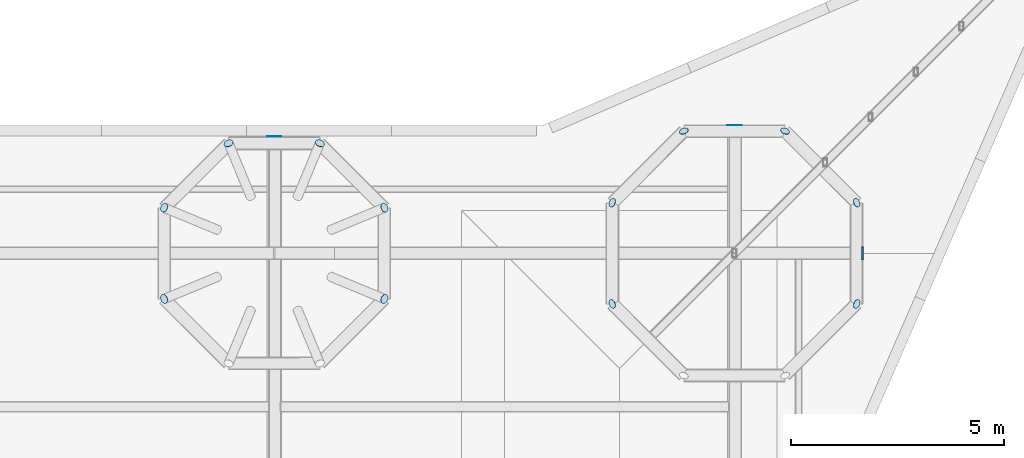
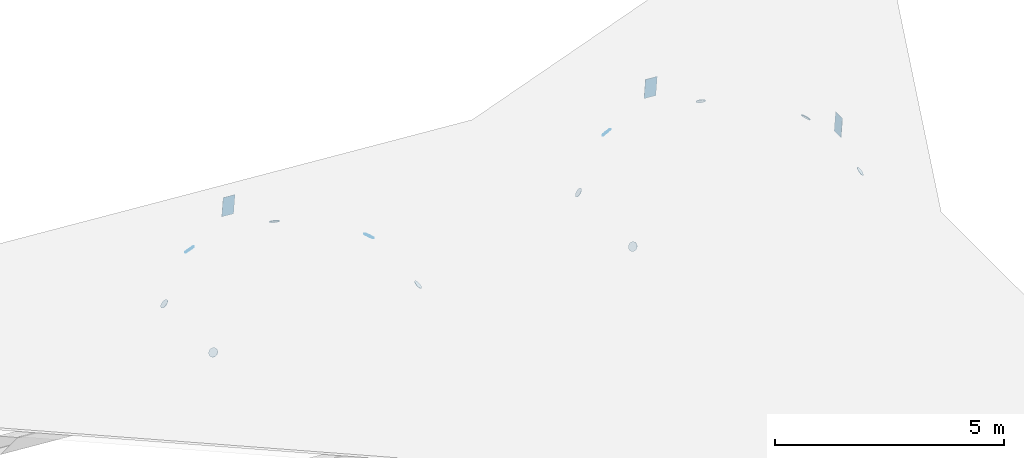
# One storey, part 67 of 95: 15 plates.
"""IFC4 building model written with IfcOpenShell, lengths in metres."""

from ifc_helpers import new_model, si_unit, direction, frame, origin, origin_2d, place, context, subcontext, project, spatial, rectangle, circle, extrude, material, material_profile, profile_set, type_object, element, save


model = new_model("IFC4")

# Units and contexts
model_context = context("Model", 3, precision=1e-05, world=origin(), true_north=direction((0.0, 1.0)))
body_context = subcontext(model_context, "Body", "Model", "MODEL_VIEW")
ifc_project = project(units=[si_unit("LENGTHUNIT", "METRE"), si_unit("AREAUNIT", "SQUARE_METRE"), si_unit("VOLUMEUNIT", "CUBIC_METRE"), si_unit("PLANEANGLEUNIT", "RADIAN"), si_unit("MASSUNIT", "GRAM", prefix="KILO")], contexts=[model_context])

# Site, building, storey
site_placement = place(None, origin())
site = spatial("IfcSite", under=ifc_project, at=site_placement, CompositionType="ELEMENT")
building_placement = place(site_placement, origin())
building = spatial("IfcBuilding", under=site, at=building_placement, Name="Magnolia Steps Interchange", CompositionType="ELEMENT")
storey_placement = place(building_placement, frame((0.0, 0.0, 4.800048828125)))
storey = spatial("IfcBuildingStorey", under=building, at=storey_placement, Name="L01", CompositionType="ELEMENT", Elevation=4.800048828125)

# Plates
ifc_material_1 = material(Name="Steel Q355B", Category="steel")
ifc_material_profile_1 = material_profile(ifc_material_1, circle(Radius=0.109619140625, at=origin_2d()), Name="End plate CHS219x10")
ifc_profile_set_1 = profile_set([ifc_material_profile_1], Name="Steel Q355B")
plate_type_1 = type_object("IfcPlateType", Name="End plate CHS219x10", PredefinedType="SHEET", material=ifc_profile_set_1)
for number, where, z_axis, x_axis, name in (
    (1, (174.580078125, 75.86865234375, 1.55615234375), (0.664583318381, 0.275279424158, 0.694658370398), (-0.382683432789, 0.923879532336, 0.0), "End plate Tree rib"),
    (2, (173.068603515625, 77.3798828125, 1.55615234375), (0.275279424158, 0.664583318381, 0.694658370398), (-0.923879532336, 0.382683432789, 0.0), "End plate Tree rib"),
    (3, (170.931396484375, 77.3798828125, 1.55615234375), (-0.275279424158, 0.664583318381, 0.694658370398), (-0.923879532336, -0.382683432789, 0.0), "End plate Tree rib"),
    (4, (169.419921875, 75.86865234375, 1.55615234375), (-0.664583318381, 0.275279424158, 0.694658370398), (-0.382683432789, -0.923879532336, 0.0), "End plate Tree rib"),
    (5, (169.419921875, 73.731201171875, 1.55615234375), (-0.664583318381, -0.275279424158, 0.694658370398), (0.382683432789, -0.923879532336, 0.0), "End plate Tree rib"),
    (6, (174.580078125, 73.731201171875, 1.55615234375), (0.664583318381, -0.275279424158, 0.694658370398), (0.382683432789, 0.923879532336, 0.0), "End plate Tree rib"),
    (7, (185.6640625, 75.986328125, 0.7685546875), (0.734831085934, 0.304377001973, 0.606117080946), (-0.3826834325, 0.923879532456, 0.0), "End plate Tree rib"),
    (8, (183.986328125, 77.6640625, 0.7685546875), (0.304377001973, 0.734831085934, 0.606117080946), (-0.923879532456, 0.3826834325, 0.0), "End plate Tree rib"),
    (9, (181.61376953125, 77.6640625, 0.7685546875), (-0.304377001973, 0.734831085934, 0.606117080946), (-0.923879532456, -0.3826834325, 0.0), "End plate Tree rib"),
    (10, (179.93603515625, 75.986328125, 0.7685546875), (-0.734831085934, 0.304377001973, 0.606117080946), (-0.3826834325, -0.923879532456, 0.0), "End plate Tree rib"),
    (11, (179.93603515625, 73.61376953125, 0.7685546875), (-0.734831085934, -0.304377001973, 0.606117080946), (0.3826834325, -0.923879532456, 0.0), "End plate Tree rib"),
    (12, (185.6640625, 73.61376953125, 0.7685546875), (0.734831085934, -0.304377001973, 0.606117080946), (0.3826834325, 0.923879532456, 0.0), "End plate Tree rib"),
):
    element("IfcPlate", number, at=place(storey_placement, frame(where, z_axis=z_axis, x_axis=x_axis)), inside=storey, type_object=plate_type_1, Name=name, PredefinedType="SHEET", context=body_context, shape_type="SweptSolid", body=[
        extrude(circle(Radius=0.109619140625, at=origin_2d()), origin(), (0.0, 0.0, 1.0), 0.008056640625),
    ])
ifc_material_2 = material(Name="Steel Q355B", Category="steel")
ifc_material_profile_2 = material_profile(ifc_material_2, rectangle(XDim=0.300048828125, YDim=0.5, at=origin_2d()), Name="End plate RHS500x300x16")
ifc_profile_set_2 = profile_set([ifc_material_profile_2], Name="Steel Q355B")
plate_type_2 = type_object("IfcPlateType", Name="End plate RHS500x300x16", PredefinedType="SHEET", material=ifc_profile_set_2)
for number, where, z_axis, x_axis, name in (
    (13, (185.800048828125, 74.800048828125, 1.2490234375), (0.997350928098, 0.0, -0.072740128007), (0.0, 1.0, 0.0), "End plate Roof beam"),
    (14, (172.0, 77.5400390625, 2.25537109375), (0.0, 1.0, 0.0), (-0.997352109794, 0.0, 0.072723923782), "End plate Roof beam"),
    (15, (182.800048828125, 77.800048828125, 1.4677734375), (0.0, 1.0, 0.0), (-0.997352109794, 0.0, 0.072723923782), "End plate Roof beam"),
):
    element("IfcPlate", number, at=place(storey_placement, frame(where, z_axis=z_axis, x_axis=x_axis)), inside=storey, type_object=plate_type_2, Name=name, PredefinedType="SHEET", context=body_context, shape_type="SweptSolid", body=[
        extrude(rectangle(XDim=0.300048828125, YDim=0.5, at=origin_2d()), origin(), (0.0, 0.0, 1.0), 0.008056640625),
    ])

save(model, "model.ifc")
